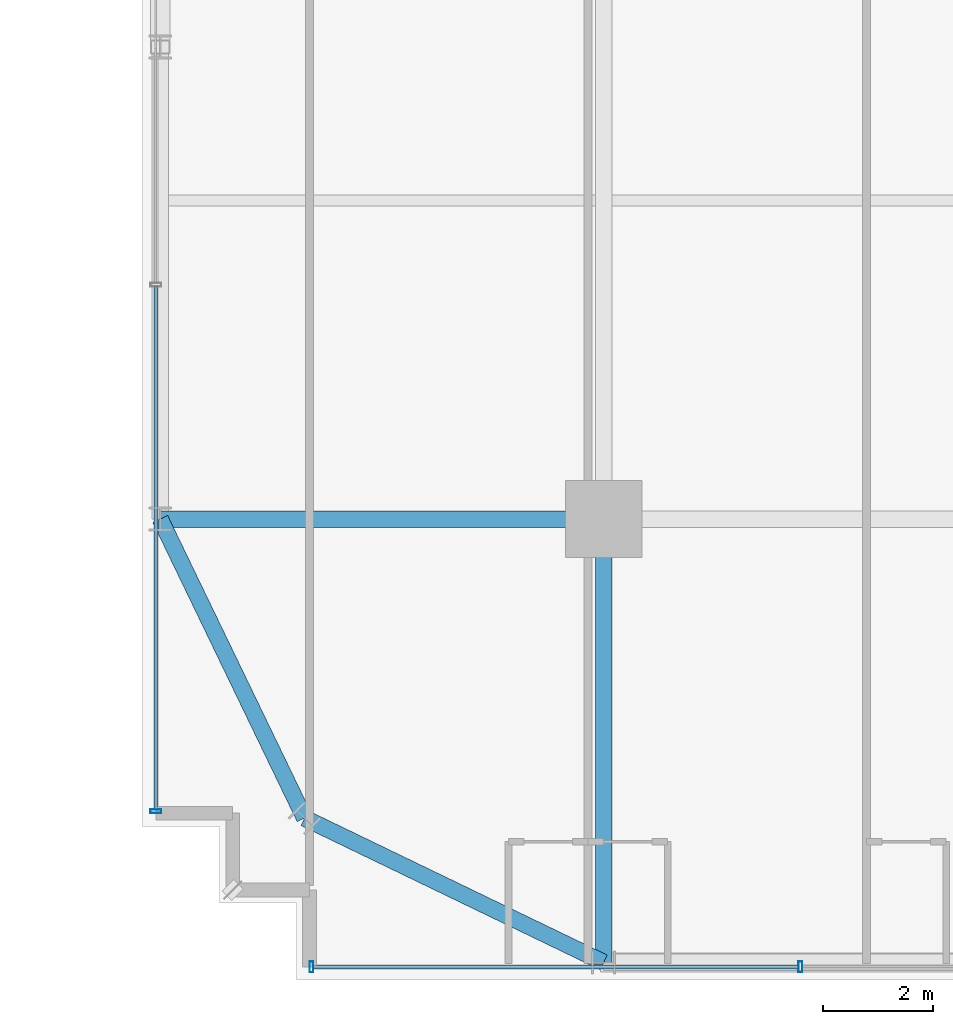
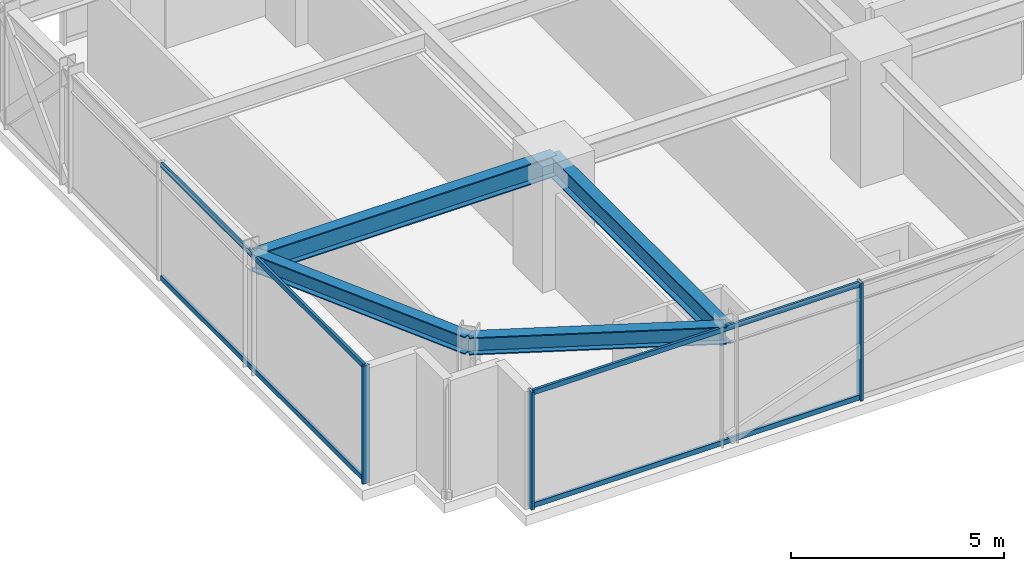
# One storey, part 3 of 43: 7 members, 4 beams, 2 elements without a shape of their own.
"""IFC4 building model written with IfcOpenShell, lengths in metres."""

from ifc_helpers import new_model, si_unit, direction, frame, origin, origin_2d, place, context, subcontext, project, spatial, hollow_rectangle, i_section, extrude, source, transform, mapped, material, material_profile, profile_set, type_object, element, aggregate, save


model = new_model("IFC4")

# Units and contexts
model_context = context("Model", 3, precision=1e-05, world=origin(), true_north=direction((0.0, 1.0)))
body_context = subcontext(model_context, "Body", "Model", "MODEL_VIEW")
ifc_project = project(units=[si_unit("LENGTHUNIT", "METRE"), si_unit("AREAUNIT", "SQUARE_METRE"), si_unit("VOLUMEUNIT", "CUBIC_METRE"), si_unit("PLANEANGLEUNIT", "RADIAN"), si_unit("MASSUNIT", "GRAM", prefix="KILO")], contexts=[model_context])

# Site, building, storey
site_placement = place(None, origin())
site = spatial("IfcSite", under=ifc_project, at=site_placement, CompositionType="ELEMENT")
building_placement = place(site_placement, origin())
building = spatial("IfcBuilding", under=site, at=building_placement, Name="Nahalor Promenade Grand Hotel", CompositionType="ELEMENT")
storey_placement = place(building_placement, frame((0.0, 0.0, 47.0)))
storey = spatial("IfcBuildingStorey", under=building, at=storey_placement, Name="L10", CompositionType="ELEMENT", Elevation=47.0)

# Beams
ifc_material_1 = material(Name="Steel S355JR", Category="steel")
ifc_material_profile_1 = material_profile(ifc_material_1, i_section(OverallWidth=0.3, OverallDepth=0.6, WebThickness=0.0155, FlangeThickness=0.03, at=origin_2d()), Name="HEB 600")
ifc_profile_set_1 = profile_set([ifc_material_profile_1], Name="Steel S355JR")
beam_type_1 = type_object("IfcBeamType", Name="Beam-Girder-HEB600", PredefinedType="BEAM", material=ifc_profile_set_1)
shared_shape_1 = source(origin(), body_context, "Body", "SweptSolid", [
    extrude(i_section(OverallWidth=0.3, OverallDepth=0.6, WebThickness=0.0155, FlangeThickness=0.03, at=origin_2d()), origin(), (0.0, 0.0, 1.0), 8.080078125),
])
for number, where, z_axis, x_axis, name in (
    (1, (-25.080078125, -17.0, 3.070068359375), (1.0, 0.0, 0.0), (0.0, 1.0, 0.0), "BM-L10-GX-0-0"),
    (2, (-17.0, -25.080078125, 3.070068359375), (0.0, 1.0, 0.0), (-1.0, 0.0, 0.0), "BM-L10-GY-0-0"),
):
    element("IfcBeam", number, at=place(storey_placement, frame(where, z_axis=z_axis, x_axis=x_axis)), inside=storey, type_object=beam_type_1, Name=name, PredefinedType="BEAM", context=body_context, shape_type="MappedRepresentation", body=[
        mapped(shared_shape_1, transform((0.0, 0.0, 0.0), scale=1.0)),
    ])
ifc_material_profile_2 = material_profile(ifc_material_1, i_section(OverallWidth=0.3, OverallDepth=0.5, WebThickness=0.0145, FlangeThickness=0.028, at=origin_2d()), Name="HEB 500")
ifc_profile_set_2 = profile_set([ifc_material_profile_2], Name="Steel S355JR")
beam_type_2 = type_object("IfcBeamType", Name="Beam-Spandrel-HEB500", PredefinedType="SPANDREL", material=ifc_profile_set_2)
shared_shape_2 = source(origin(), body_context, "Body", "SweptSolid", [
    extrude(i_section(OverallWidth=0.3, OverallDepth=0.5, WebThickness=0.0145, FlangeThickness=0.028, at=origin_2d()), origin(), (0.0, 0.0, 1.0), 6.051513671875),
])
for number, where, z_axis, x_axis, name in (
    (3, (-17.0, -25.080078125, 3.1201171875), (-0.900608818852, 0.434630596492, 0.0), (-0.434630596492, -0.900608818852, 0.0), "BM-L10-SPC-SW-1"),
    (4, (-22.449951171875, -22.449951171875, 3.1201171875), (-0.434630596492, 0.900608818852, 0.0), (-0.900608818852, -0.434630596492, 0.0), "BM-L10-SPC-SW-2"),
):
    element("IfcBeam", number, at=place(storey_placement, frame(where, z_axis=z_axis, x_axis=x_axis)), inside=storey, type_object=beam_type_2, Name=name, PredefinedType="SPANDREL", context=body_context, shape_type="MappedRepresentation", body=[
        mapped(shared_shape_2, transform((0.0, 0.0, 0.0), scale=1.0)),
    ])

# Curtain wall, members
ifc_material_2 = material(Name="Anodised Bronze Aluminium EN AW-6063 T6", Category="aluminium")
curtain_wall_type = type_object("IfcCurtainWallType", Name="CW3 Elliptical-Void Collar Unitised Curtain Wall", PredefinedType="USERDEFINED", material=ifc_material_2)
curtain_wall_1_placement = place(storey_placement, origin())
curtain_wall_1 = element("IfcCurtainWall", 5, at=curtain_wall_1_placement, inside=storey, type_object=curtain_wall_type, Name="L10 Curtain Wall CW-L10-S-1", ObjectType="UNITISED_CURTAIN_WALL", PredefinedType="USERDEFINED")
ifc_material_profile_3 = material_profile(ifc_material_2, hollow_rectangle(XDim=0.07, YDim=0.14, WallThickness=0.004, at=origin_2d()), Name="CWT 70x140x4")
ifc_profile_set_3 = profile_set([ifc_material_profile_3], Name="Anodised Bronze Aluminium EN AW-6063 T6")
member_type_1 = type_object("IfcMemberType", Name="CWT3 Void Collar Transom 70x140", PredefinedType="USERDEFINED", material=ifc_profile_set_3)
shared_shape_3 = source(origin(), body_context, "Body", "SweptSolid", [
    extrude(hollow_rectangle(XDim=0.07, YDim=0.14, WallThickness=0.004, at=origin_2d()), origin(), (0.0, 0.0, 1.0), 8.839111328125),
])
member_1_placement = place(storey_placement, frame((-22.2900390625, -25.159912109375, 0.070068359375), z_axis=(1.0, 0.0, 0.0), x_axis=(0.0, 1.0, 0.0)))
member_1 = element("IfcMember", 6, at=member_1_placement, type_object=member_type_1, Name="CW-L10-S-1 Transom 0-0", ObjectType="TRANSOM", PredefinedType="USERDEFINED", context=body_context, shape_type="MappedRepresentation", body=[
    mapped(shared_shape_3, transform((0.0, 0.0, 0.0), scale=1.0)),
])
member_2_placement = place(storey_placement, frame((-22.2900390625, -25.159912109375, 3.300048828125), z_axis=(1.0, 0.0, 0.0), x_axis=(0.0, 1.0, 0.0)))
member_2 = element("IfcMember", 7, at=member_2_placement, type_object=member_type_1, Name="CW-L10-S-1 Transom 0-1", ObjectType="TRANSOM", PredefinedType="USERDEFINED", context=body_context, shape_type="MappedRepresentation", body=[
    mapped(shared_shape_3, transform((0.0, 0.0, 0.0), scale=1.0)),
])
ifc_material_profile_4 = material_profile(ifc_material_2, hollow_rectangle(XDim=0.07, YDim=0.2, WallThickness=0.005, at=origin_2d()), Name="CWM 70x200x5")
ifc_profile_set_4 = profile_set([ifc_material_profile_4], Name="Anodised Bronze Aluminium EN AW-6063 T6")
member_type_2 = type_object("IfcMemberType", Name="CWM3 Void Collar Mullion 70x200", PredefinedType="MULLION", material=ifc_profile_set_4)
shared_shape_4 = source(origin(), body_context, "Body", "SweptSolid", [
    extrude(hollow_rectangle(XDim=0.07, YDim=0.2, WallThickness=0.005, at=origin_2d()), origin(), (0.0, 0.0, 1.0), 3.3701171875),
])
member_3_placement = place(storey_placement, frame((-22.324951171875, -25.159912109375, 0.0), z_axis=(0.0, 0.0, 1.0), x_axis=(1.0, 0.0, 0.0)))
member_3 = element("IfcMember", 8, at=member_3_placement, type_object=member_type_2, Name="CW-L10-S-1 Mullion 0", PredefinedType="MULLION", context=body_context, shape_type="MappedRepresentation", body=[
    mapped(shared_shape_4, transform((0.0, 0.0, 0.0), scale=1.0)),
])
member_4_placement = place(storey_placement, frame((-13.416015625, -25.159912109375, 0.0), z_axis=(0.0, 0.0, 1.0), x_axis=(1.0, 0.0, 0.0)))
member_4 = element("IfcMember", 9, at=member_4_placement, type_object=member_type_2, Name="CW-L10-S-1 Mullion 1", PredefinedType="MULLION", context=body_context, shape_type="MappedRepresentation", body=[
    mapped(shared_shape_4, transform((0.0, 0.0, 0.0), scale=1.0)),
])
aggregate(curtain_wall_1, [member_3, member_4, member_1, member_2])

curtain_wall_2_placement = place(storey_placement, origin())
curtain_wall_2 = element("IfcCurtainWall", 10, at=curtain_wall_2_placement, inside=storey, type_object=curtain_wall_type, Name="L10 Curtain Wall CW-L10-W-1", ObjectType="UNITISED_CURTAIN_WALL", PredefinedType="USERDEFINED")
member_5_placement = place(storey_placement, frame((-25.159912109375, -22.324951171875, 0.0), z_axis=(0.0, 0.0, 1.0), x_axis=(0.0, 1.0, 0.0)))
member_5 = element("IfcMember", 11, at=member_5_placement, type_object=member_type_2, Name="CW-L10-W-1 Mullion 0", PredefinedType="MULLION", context=body_context, shape_type="MappedRepresentation", body=[
    mapped(shared_shape_4, transform((0.0, 0.0, 0.0), scale=1.0)),
])
shared_shape_5 = source(origin(), body_context, "Body", "SweptSolid", [
    extrude(hollow_rectangle(XDim=0.07, YDim=0.14, WallThickness=0.004, at=origin_2d()), origin(), (0.0, 0.0, 1.0), 9.525146484375),
])
member_6_placement = place(storey_placement, frame((-25.159912109375, -22.2900390625, 0.070068359375), z_axis=(0.0, 1.0, 0.0), x_axis=(-1.0, 0.0, 0.0)))
member_6 = element("IfcMember", 12, at=member_6_placement, type_object=member_type_1, Name="CW-L10-W-1 Transom 0-0", ObjectType="TRANSOM", PredefinedType="USERDEFINED", context=body_context, shape_type="MappedRepresentation", body=[
    mapped(shared_shape_5, transform((0.0, 0.0, 0.0), scale=1.0)),
])
member_7_placement = place(storey_placement, frame((-25.159912109375, -22.2900390625, 3.300048828125), z_axis=(0.0, 1.0, 0.0), x_axis=(-1.0, 0.0, 0.0)))
member_7 = element("IfcMember", 13, at=member_7_placement, type_object=member_type_1, Name="CW-L10-W-1 Transom 0-1", ObjectType="TRANSOM", PredefinedType="USERDEFINED", context=body_context, shape_type="MappedRepresentation", body=[
    mapped(shared_shape_5, transform((0.0, 0.0, 0.0), scale=1.0)),
])
aggregate(curtain_wall_2, [member_5, member_6, member_7])

save(model, "model.ifc")
